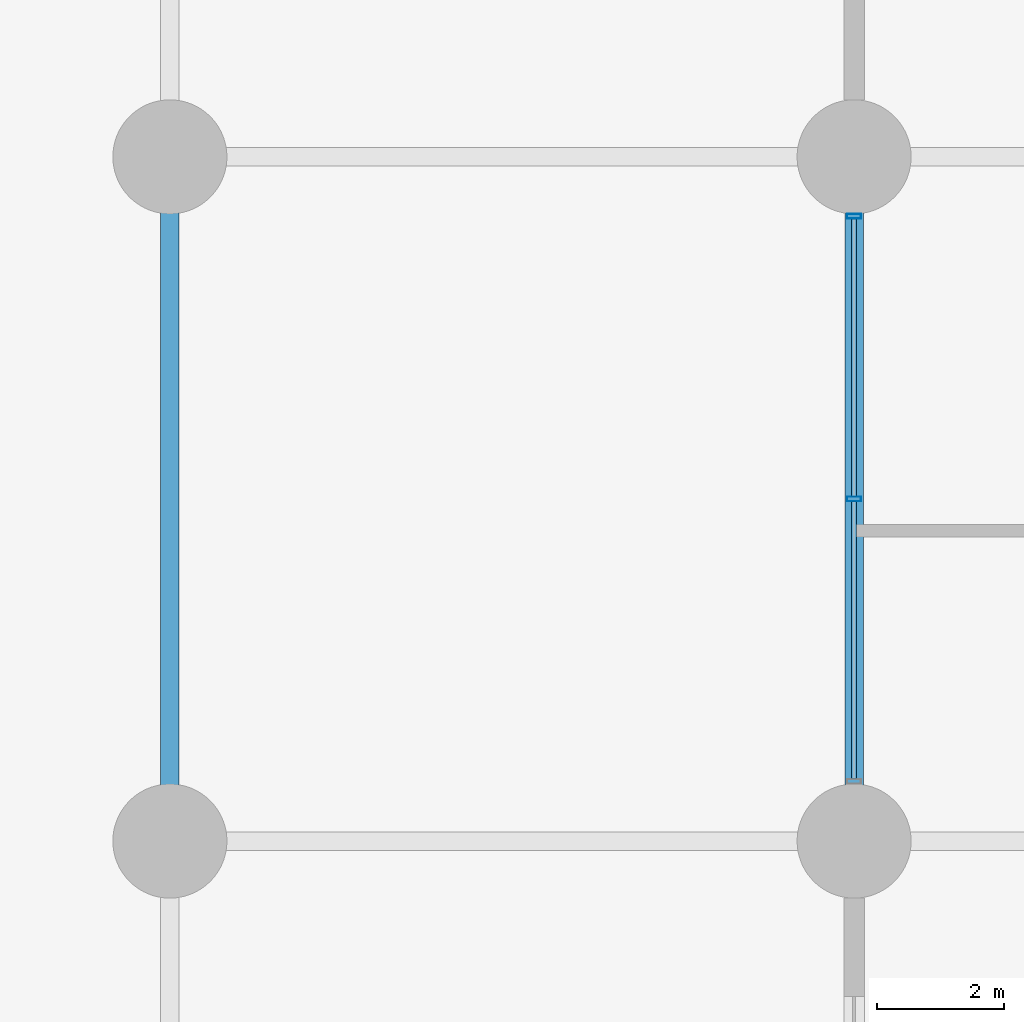
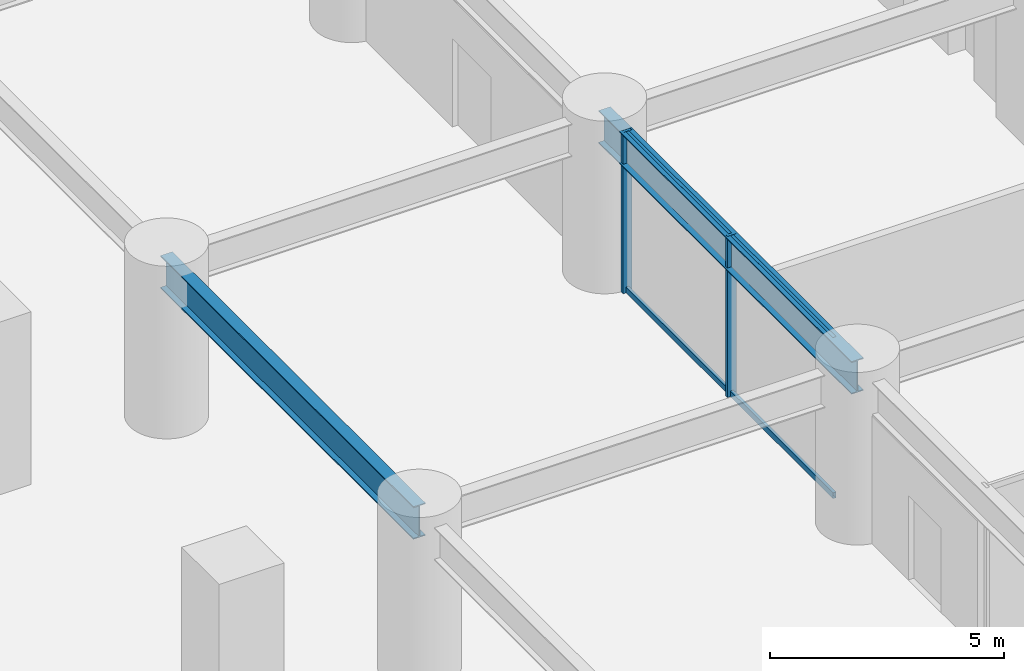
# One storey, part 8 of 29: 6 members, 2 beams, 1 element without a shape of its own.
"""IFC4 building model written with IfcOpenShell, lengths in metres."""

from ifc_helpers import new_model, si_unit, direction, frame, origin, origin_2d, place, context, subcontext, project, spatial, hollow_rectangle, i_section, extrude, material, layer, layer_set, material_profile, profile_set, type_object, element, aggregate, save


model = new_model("IFC4")

# Units and contexts
model_context = context("Model", 3, precision=1e-05, world=origin(), true_north=direction((0.0, 1.0)))
body_context = subcontext(model_context, "Body", "Model", "MODEL_VIEW")
ifc_project = project(units=[si_unit("LENGTHUNIT", "METRE"), si_unit("AREAUNIT", "SQUARE_METRE"), si_unit("VOLUMEUNIT", "CUBIC_METRE"), si_unit("PLANEANGLEUNIT", "RADIAN"), si_unit("MASSUNIT", "GRAM", prefix="KILO")], contexts=[model_context])

# Site, building, storey
site_placement = place(None, origin())
site = spatial("IfcSite", under=ifc_project, at=site_placement, CompositionType="ELEMENT")
building_placement = place(site_placement, origin())
building = spatial("IfcBuilding", under=site, at=building_placement, Name="Surkhivell Harbour Commons", CompositionType="ELEMENT")
storey_placement = place(building_placement, origin())
storey = spatial("IfcBuildingStorey", under=building, at=storey_placement, Name="L00", CompositionType="ELEMENT", Elevation=0.0)

# Beams
ifc_material_1 = material(Name="Steel S460", Category="steel")
ifc_material_profile_1 = material_profile(ifc_material_1, i_section(OverallWidth=0.2939453125, OverallDepth=0.85107421875, WebThickness=0.01611328125, FlangeThickness=0.02685546875, at=origin_2d()), Name="UB838x292x226")
ifc_profile_set_1 = profile_set([ifc_material_profile_1], Name="Steel S460")
beam_type = type_object("IfcBeamType", Name="BM-SPN-838", PredefinedType="SPANDREL", material=ifc_profile_set_1)
for number, where, z_axis, x_axis, name in (
    (1, (-32.39990234375, -10.800048828125, 3.7744140625), (0.0, 1.0, 0.0), (-1.0, 0.0, 0.0), "L00 Framing Beam (-32.4,-10.8)"),
    (2, (-21.60009765625, -10.800048828125, 3.7744140625), (0.0, 1.0, 0.0), (-1.0, 0.0, 0.0), "L00 Framing Beam (-21.6,-10.8)"),
):
    element("IfcBeam", number, at=place(storey_placement, frame(where, z_axis=z_axis, x_axis=x_axis)), inside=storey, type_object=beam_type, Name=name, PredefinedType="SPANDREL", context=body_context, shape_type="SweptSolid", body=[
        extrude(i_section(OverallWidth=0.2939453125, OverallDepth=0.85107421875, WebThickness=0.01611328125, FlangeThickness=0.02685546875, at=origin_2d()), origin(), (0.0, 0.0, 1.0), 10.800048828125),
    ])

# Curtain wall, members
ifc_material_2 = material(Name="Anodised pale-metal aluminium and insulated glazing", Category="aluminium")
ifc_layer = layer(ifc_material_2, 0.239990234375)
ifc_layer_set = layer_set([ifc_layer], Name="Anodised pale-metal aluminium and insulated glazing")
curtain_wall_type = type_object("IfcCurtainWallType", Name="CW-SYS-POD", PredefinedType="NOTDEFINED", material=ifc_layer_set)
curtain_wall_placement = place(storey_placement, origin())
curtain_wall = element("IfcCurtainWall", 3, at=curtain_wall_placement, inside=storey, type_object=curtain_wall_type, Name="L00 Curtain Wall CW-L00-P05", PredefinedType="NOTDEFINED")
ifc_material_3 = material(Name="Anodised pale-metal aluminium alloy 6063-T6", Category="aluminium")
ifc_material_profile_2 = material_profile(ifc_material_3, hollow_rectangle(XDim=0.074951171875, YDim=0.219970703125, WallThickness=0.00390625, at=origin_2d()), Name="ALU-MULL-75x220")
ifc_profile_set_2 = profile_set([ifc_material_profile_2], Name="Anodised pale-metal aluminium alloy 6063-T6")
member_type_1 = type_object("IfcMemberType", Name="CWM-220", PredefinedType="MULLION", material=ifc_profile_set_2)
member_1_placement = place(storey_placement, frame((-21.60009765625, -5.39990234375, 0.0), z_axis=(0.0, 0.0, 1.0), x_axis=(0.0, 1.0, 0.0)))
member_1 = element("IfcMember", 4, at=member_1_placement, type_object=member_type_1, Name="CW-POD mullion 2", PredefinedType="MULLION", context=body_context, shape_type="SweptSolid", body=[
    extrude(hollow_rectangle(XDim=0.074951171875, YDim=0.219970703125, WallThickness=0.00390625, at=origin_2d()), origin(), (0.0, 0.0, 1.0), 4.199951171875),
])
member_2_placement = place(storey_placement, frame((-21.60009765625, -0.939453125, 0.0), z_axis=(0.0, 0.0, 1.0), x_axis=(0.0, 1.0, 0.0)))
member_2 = element("IfcMember", 5, at=member_2_placement, type_object=member_type_1, Name="CW-POD mullion 3", PredefinedType="MULLION", context=body_context, shape_type="SweptSolid", body=[
    extrude(hollow_rectangle(XDim=0.074951171875, YDim=0.219970703125, WallThickness=0.00390625, at=origin_2d()), origin(), (0.0, 0.0, 1.0), 4.199951171875),
])
ifc_material_profile_3 = material_profile(ifc_material_3, hollow_rectangle(XDim=0.074951171875, YDim=0.14990234375, WallThickness=0.00341796875, at=origin_2d()), Name="ALU-TRAN-75x150")
ifc_profile_set_3 = profile_set([ifc_material_profile_3], Name="Anodised pale-metal aluminium alloy 6063-T6")
member_type_2 = type_object("IfcMemberType", Name="CWT-150", PredefinedType="USERDEFINED", material=ifc_profile_set_3)
member_3_placement = place(storey_placement, frame((-21.60009765625, -9.822998046875, 0.074951171875), z_axis=(0.0, 1.0, 0.0), x_axis=(-1.0, 0.0, 0.0)))
member_3 = element("IfcMember", 6, at=member_3_placement, type_object=member_type_2, Name="CW-POD transom 1.1", ObjectType="TRANSOM", PredefinedType="USERDEFINED", context=body_context, shape_type="SweptSolid", body=[
    extrude(hollow_rectangle(XDim=0.074951171875, YDim=0.14990234375, WallThickness=0.00341796875, at=origin_2d()), origin(), (0.0, 0.0, 1.0), 4.385498046875),
])
member_4_placement = place(storey_placement, frame((-21.60009765625, -9.822998046875, 4.125), z_axis=(0.0, 1.0, 0.0), x_axis=(-1.0, 0.0, 0.0)))
member_4 = element("IfcMember", 7, at=member_4_placement, type_object=member_type_2, Name="CW-POD transom 1.2", ObjectType="TRANSOM", PredefinedType="USERDEFINED", context=body_context, shape_type="SweptSolid", body=[
    extrude(hollow_rectangle(XDim=0.074951171875, YDim=0.14990234375, WallThickness=0.00341796875, at=origin_2d()), origin(), (0.0, 0.0, 1.0), 4.385498046875),
])
member_5_placement = place(storey_placement, frame((-21.60009765625, -5.362548828125, 0.074951171875), z_axis=(0.0, 1.0, 0.0), x_axis=(-1.0, 0.0, 0.0)))
member_5 = element("IfcMember", 8, at=member_5_placement, type_object=member_type_2, Name="CW-POD transom 2.1", ObjectType="TRANSOM", PredefinedType="USERDEFINED", context=body_context, shape_type="SweptSolid", body=[
    extrude(hollow_rectangle(XDim=0.074951171875, YDim=0.14990234375, WallThickness=0.00341796875, at=origin_2d()), origin(), (0.0, 0.0, 1.0), 4.385498046875),
])
member_6_placement = place(storey_placement, frame((-21.60009765625, -5.362548828125, 4.125), z_axis=(0.0, 1.0, 0.0), x_axis=(-1.0, 0.0, 0.0)))
member_6 = element("IfcMember", 9, at=member_6_placement, type_object=member_type_2, Name="CW-POD transom 2.2", ObjectType="TRANSOM", PredefinedType="USERDEFINED", context=body_context, shape_type="SweptSolid", body=[
    extrude(hollow_rectangle(XDim=0.074951171875, YDim=0.14990234375, WallThickness=0.00341796875, at=origin_2d()), origin(), (0.0, 0.0, 1.0), 4.385498046875),
])
aggregate(curtain_wall, [member_1, member_2, member_3, member_4, member_5, member_6])

save(model, "model.ifc")
